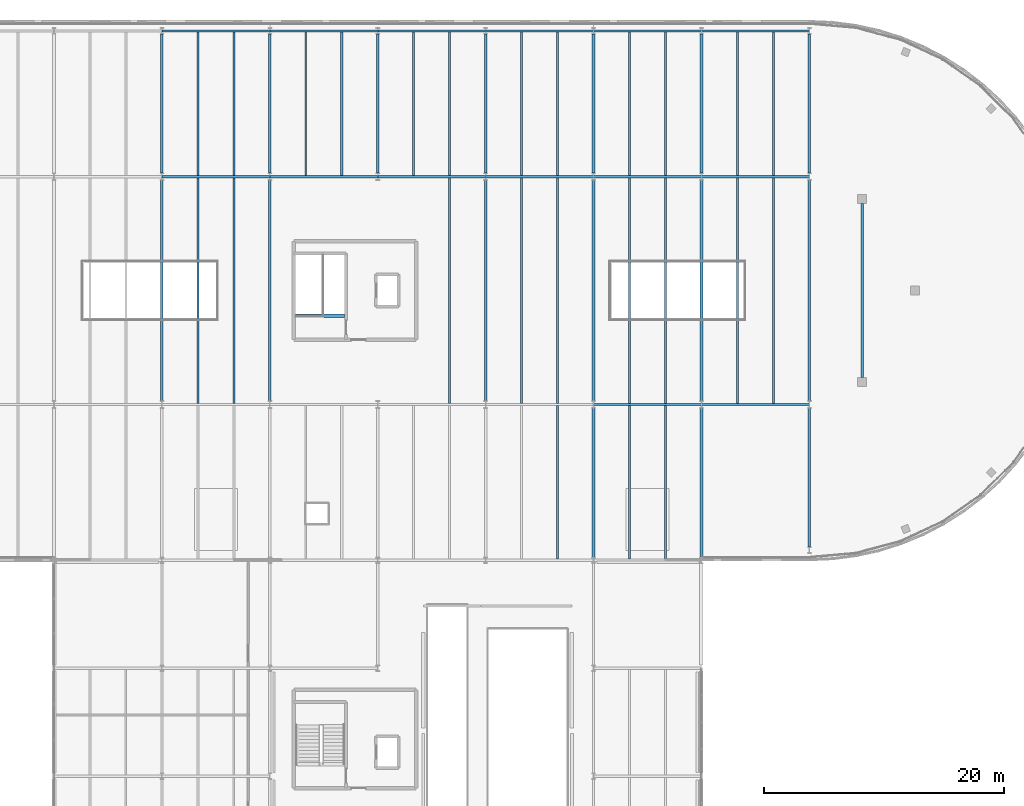
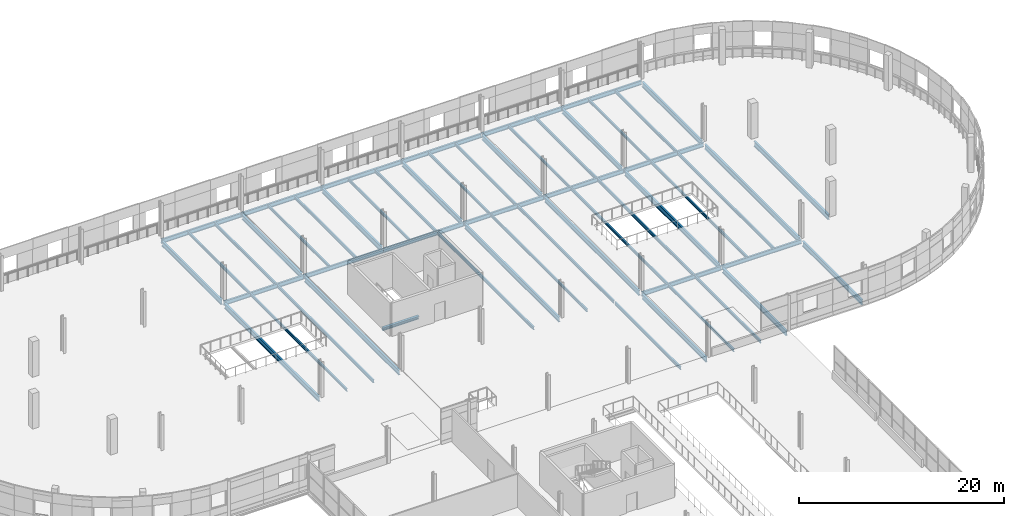
# One storey, part 34 of 88: 56 beams.
"""IFC4 building model written with IfcOpenShell, lengths in metres."""

from ifc_helpers import new_model, si_unit, direction, frame, origin, origin_2d, place, context, subcontext, project, spatial, i_section, extrude, material, material_profile, profile_set, type_object, element, save


model = new_model("IFC4")

# Units and contexts
model_context = context("Model", 3, precision=1e-05, world=origin(), true_north=direction((0.0, 1.0)))
body_context = subcontext(model_context, "Body", "Model", "MODEL_VIEW")
ifc_project = project(units=[si_unit("LENGTHUNIT", "METRE"), si_unit("AREAUNIT", "SQUARE_METRE"), si_unit("VOLUMEUNIT", "CUBIC_METRE"), si_unit("PLANEANGLEUNIT", "RADIAN"), si_unit("MASSUNIT", "GRAM", prefix="KILO")], contexts=[model_context])

# Site, building, storey
site_placement = place(None, origin())
site = spatial("IfcSite", under=ifc_project, at=site_placement, CompositionType="ELEMENT")
building_placement = place(site_placement, origin())
building = spatial("IfcBuilding", under=site, at=building_placement, Name="Deido Ridge Mobility Hub", CompositionType="ELEMENT")
storey_placement = place(building_placement, frame((0.0, 0.0, 16.800048828125)))
storey = spatial("IfcBuildingStorey", under=building, at=storey_placement, Name="L04", CompositionType="ELEMENT", Elevation=16.800048828125)

# Beams
ifc_material = material(Name="Steel S355J2 EN 10025-2", Category="steel")
ifc_material_profile_1 = material_profile(ifc_material, i_section(OverallWidth=0.300048828125, OverallDepth=0.330078125, WebThickness=0.009521484375, FlangeThickness=0.0166015625, FilletRadius=0.027099609375, at=origin_2d()), Name="HEA 340")
ifc_profile_set_1 = profile_set([ifc_material_profile_1], Name="Steel S355J2 EN 10025-2")
beam_type_1 = type_object("IfcBeamType", Name="BM-HEA340", PredefinedType="BEAM", material=ifc_profile_set_1)
beam_1_placement = place(storey_placement, frame((74.14990234375, 101.39990234375, -0.43994140625), z_axis=(1.0, 0.0, 0.0), x_axis=(0.0, 1.0, 0.0)))
element("IfcBeam", 1, at=beam_1_placement, inside=storey, type_object=beam_type_1, Name="C5 stair landing trimmer beam B6", PredefinedType="BEAM", context=body_context, shape_type="SweptSolid", body=[
    extrude(i_section(OverallWidth=0.300048828125, OverallDepth=0.330078125, WebThickness=0.009521484375, FlangeThickness=0.0166015625, FilletRadius=0.027099609375, at=origin_2d()), origin(), (0.0, 0.0, 1.0), 4.085205078125),
])
ifc_material_profile_2 = material_profile(ifc_material, i_section(OverallWidth=0.199951171875, OverallDepth=0.5, WebThickness=0.01025390625, FlangeThickness=0.01611328125, FilletRadius=0.02099609375, at=origin_2d()), Name="IPE 500")
ifc_profile_set_2 = profile_set([ifc_material_profile_2], Name="Steel S355J2 EN 10025-2")
beam_type_2 = type_object("IfcBeamType", Name="BM-IPE500", PredefinedType="BEAM", material=ifc_profile_set_2)
for number, where, z_axis, x_axis, name in (
    (2, (99.0078125, 94.0, -0.525146484375), (1.0, 0.0, 0.0), (0.0, 1.0, 0.0), "Floor beam B3"),
    (3, (108.0078125, 94.0, -0.525146484375), (1.0, 0.0, 0.0), (0.0, 1.0, 0.0), "Floor beam B3"),
    (4, (63.0078125, 113.0, -0.525146484375), (1.0, 0.0, 0.0), (0.0, 1.0, 0.0), "Floor beam B3"),
    (5, (72.0078125, 113.0, -0.525146484375), (1.0, 0.0, 0.0), (0.0, 1.0, 0.0), "Floor beam B3"),
    (6, (81.0078125, 113.0, -0.525146484375), (1.0, 0.0, 0.0), (0.0, 1.0, 0.0), "Floor beam B3"),
    (7, (90.0078125, 113.0, -0.525146484375), (1.0, 0.0, 0.0), (0.0, 1.0, 0.0), "Floor beam B3"),
    (8, (99.0078125, 113.0, -0.525146484375), (1.0, 0.0, 0.0), (0.0, 1.0, 0.0), "Floor beam B3"),
    (9, (108.0078125, 113.0, -0.525146484375), (1.0, 0.0, 0.0), (0.0, 1.0, 0.0), "Floor beam B3"),
):
    element("IfcBeam", number, at=place(storey_placement, frame(where, z_axis=z_axis, x_axis=x_axis)), inside=storey, type_object=beam_type_2, Name=name, PredefinedType="BEAM", context=body_context, shape_type="SweptSolid", body=[
        extrude(i_section(OverallWidth=0.199951171875, OverallDepth=0.5, WebThickness=0.01025390625, FlangeThickness=0.01611328125, FilletRadius=0.02099609375, at=origin_2d()), origin(), (0.0, 0.0, 1.0), 8.984375),
    ])
for number, where, z_axis, x_axis, name in (
    (10, (63.007080078125, 125.14990234375, -0.525146484375), (1.0, 0.0, 0.0), (0.0, 1.0, 0.0), "Floor beam B3"),
    (11, (72.007080078125, 125.14990234375, -0.525146484375), (1.0, 0.0, 0.0), (0.0, 1.0, 0.0), "Floor beam B3"),
    (12, (81.007080078125, 125.14990234375, -0.525146484375), (1.0, 0.0, 0.0), (0.0, 1.0, 0.0), "Floor beam B3"),
    (13, (90.007080078125, 125.14990234375, -0.525146484375), (1.0, 0.0, 0.0), (0.0, 1.0, 0.0), "Floor beam B3"),
    (14, (99.007080078125, 125.14990234375, -0.525146484375), (1.0, 0.0, 0.0), (0.0, 1.0, 0.0), "Floor beam B3"),
    (15, (108.007080078125, 125.14990234375, -0.525146484375), (1.0, 0.0, 0.0), (0.0, 1.0, 0.0), "Floor beam B3"),
):
    element("IfcBeam", number, at=place(storey_placement, frame(where, z_axis=z_axis, x_axis=x_axis)), inside=storey, type_object=beam_type_2, Name=name, PredefinedType="BEAM", context=body_context, shape_type="SweptSolid", body=[
        extrude(i_section(OverallWidth=0.199951171875, OverallDepth=0.5, WebThickness=0.01025390625, FlangeThickness=0.01611328125, FilletRadius=0.02099609375, at=origin_2d()), origin(), (0.0, 0.0, 1.0), 8.98583984375),
    ])
ifc_material_profile_3 = material_profile(ifc_material, i_section(OverallWidth=0.219970703125, OverallDepth=0.60009765625, WebThickness=0.011962890625, FlangeThickness=0.01904296875, FilletRadius=0.02392578125, at=origin_2d()), Name="IPE 600")
ifc_profile_set_3 = profile_set([ifc_material_profile_3], Name="Steel S355J2 EN 10025-2")
beam_type_3 = type_object("IfcBeamType", Name="BM-IPE600", PredefinedType="BEAM", material=ifc_profile_set_3)
beam_2_placement = place(storey_placement, frame((63.0, 94.300048828125, -0.574951171875), z_axis=(0.0, 1.0, 0.0), x_axis=(-1.0, 0.0, 0.0)))
element("IfcBeam", 16, at=beam_2_placement, inside=storey, type_object=beam_type_3, Name="Floor beam B1", PredefinedType="BEAM", context=body_context, shape_type="SweptSolid", body=[
    extrude(i_section(OverallWidth=0.219970703125, OverallDepth=0.60009765625, WebThickness=0.011962890625, FlangeThickness=0.01904296875, FilletRadius=0.02392578125, at=origin_2d()), origin(), (0.0, 0.0, 1.0), 18.39990234375),
])
beam_3_placement = place(storey_placement, frame((63.0, 113.300048828125, -0.574951171875), z_axis=(0.0, 1.0, 0.0), x_axis=(-1.0, 0.0, 0.0)))
element("IfcBeam", 17, at=beam_3_placement, inside=storey, type_object=beam_type_3, Name="Floor beam B1", PredefinedType="BEAM", context=body_context, shape_type="SweptSolid", body=[
    extrude(i_section(OverallWidth=0.219970703125, OverallDepth=0.60009765625, WebThickness=0.011962890625, FlangeThickness=0.01904296875, FilletRadius=0.02392578125, at=origin_2d()), origin(), (0.0, 0.0, 1.0), 11.599853515625),
])
beam_4_placement = place(storey_placement, frame((72.0, 94.300048828125, -0.574951171875), z_axis=(0.0, 1.0, 0.0), x_axis=(-1.0, 0.0, 0.0)))
element("IfcBeam", 18, at=beam_4_placement, inside=storey, type_object=beam_type_3, Name="Floor beam B1", PredefinedType="BEAM", context=body_context, shape_type="SweptSolid", body=[
    extrude(i_section(OverallWidth=0.219970703125, OverallDepth=0.60009765625, WebThickness=0.011962890625, FlangeThickness=0.01904296875, FilletRadius=0.02392578125, at=origin_2d()), origin(), (0.0, 0.0, 1.0), 18.39990234375),
])
for number, where, z_axis, x_axis, name in (
    (19, (72.0, 113.300048828125, -0.574951171875), (0.0, 1.0, 0.0), (-1.0, 0.0, 0.0), "Floor beam B1"),
    (20, (81.0, 113.300048828125, -0.574951171875), (0.0, 1.0, 0.0), (-1.0, 0.0, 0.0), "Floor beam B1"),
):
    element("IfcBeam", number, at=place(storey_placement, frame(where, z_axis=z_axis, x_axis=x_axis)), inside=storey, type_object=beam_type_3, Name=name, PredefinedType="BEAM", context=body_context, shape_type="SweptSolid", body=[
        extrude(i_section(OverallWidth=0.219970703125, OverallDepth=0.60009765625, WebThickness=0.011962890625, FlangeThickness=0.01904296875, FilletRadius=0.02392578125, at=origin_2d()), origin(), (0.0, 0.0, 1.0), 11.599853515625),
    ])
beam_5_placement = place(storey_placement, frame((90.0, 94.300048828125, -0.574951171875), z_axis=(0.0, 1.0, 0.0), x_axis=(-1.0, 0.0, 0.0)))
element("IfcBeam", 21, at=beam_5_placement, inside=storey, type_object=beam_type_3, Name="Floor beam B1", PredefinedType="BEAM", context=body_context, shape_type="SweptSolid", body=[
    extrude(i_section(OverallWidth=0.219970703125, OverallDepth=0.60009765625, WebThickness=0.011962890625, FlangeThickness=0.01904296875, FilletRadius=0.02392578125, at=origin_2d()), origin(), (0.0, 0.0, 1.0), 18.39990234375),
])
beam_6_placement = place(storey_placement, frame((90.0, 113.300048828125, -0.574951171875), z_axis=(0.0, 1.0, 0.0), x_axis=(-1.0, 0.0, 0.0)))
element("IfcBeam", 22, at=beam_6_placement, inside=storey, type_object=beam_type_3, Name="Floor beam B1", PredefinedType="BEAM", context=body_context, shape_type="SweptSolid", body=[
    extrude(i_section(OverallWidth=0.219970703125, OverallDepth=0.60009765625, WebThickness=0.011962890625, FlangeThickness=0.01904296875, FilletRadius=0.02392578125, at=origin_2d()), origin(), (0.0, 0.0, 1.0), 11.599853515625),
])
beam_7_placement = place(storey_placement, frame((99.0, 81.25, -0.574951171875), z_axis=(0.0, 1.0, 0.0), x_axis=(-1.0, 0.0, 0.0)))
element("IfcBeam", 23, at=beam_7_placement, inside=storey, type_object=beam_type_3, Name="Floor beam B1", PredefinedType="BEAM", context=body_context, shape_type="SweptSolid", body=[
    extrude(i_section(OverallWidth=0.219970703125, OverallDepth=0.60009765625, WebThickness=0.011962890625, FlangeThickness=0.01904296875, FilletRadius=0.02392578125, at=origin_2d()), origin(), (0.0, 0.0, 1.0), 12.449951171875),
])
beam_8_placement = place(storey_placement, frame((99.0, 94.300048828125, -0.574951171875), z_axis=(0.0, 1.0, 0.0), x_axis=(-1.0, 0.0, 0.0)))
element("IfcBeam", 24, at=beam_8_placement, inside=storey, type_object=beam_type_3, Name="Floor beam B1", PredefinedType="BEAM", context=body_context, shape_type="SweptSolid", body=[
    extrude(i_section(OverallWidth=0.219970703125, OverallDepth=0.60009765625, WebThickness=0.011962890625, FlangeThickness=0.01904296875, FilletRadius=0.02392578125, at=origin_2d()), origin(), (0.0, 0.0, 1.0), 18.39990234375),
])
beam_9_placement = place(storey_placement, frame((99.0, 113.300048828125, -0.574951171875), z_axis=(0.0, 1.0, 0.0), x_axis=(-1.0, 0.0, 0.0)))
element("IfcBeam", 25, at=beam_9_placement, inside=storey, type_object=beam_type_3, Name="Floor beam B1", PredefinedType="BEAM", context=body_context, shape_type="SweptSolid", body=[
    extrude(i_section(OverallWidth=0.219970703125, OverallDepth=0.60009765625, WebThickness=0.011962890625, FlangeThickness=0.01904296875, FilletRadius=0.02392578125, at=origin_2d()), origin(), (0.0, 0.0, 1.0), 11.599853515625),
])
beam_10_placement = place(storey_placement, frame((108.0, 81.25, -0.574951171875), z_axis=(0.0, 1.0, 0.0), x_axis=(-1.0, 0.0, 0.0)))
element("IfcBeam", 26, at=beam_10_placement, inside=storey, type_object=beam_type_3, Name="Floor beam B1", PredefinedType="BEAM", context=body_context, shape_type="SweptSolid", body=[
    extrude(i_section(OverallWidth=0.219970703125, OverallDepth=0.60009765625, WebThickness=0.011962890625, FlangeThickness=0.01904296875, FilletRadius=0.02392578125, at=origin_2d()), origin(), (0.0, 0.0, 1.0), 12.449951171875),
])
beam_11_placement = place(storey_placement, frame((108.0, 94.300048828125, -0.574951171875), z_axis=(0.0, 1.0, 0.0), x_axis=(-1.0, 0.0, 0.0)))
element("IfcBeam", 27, at=beam_11_placement, inside=storey, type_object=beam_type_3, Name="Floor beam B1", PredefinedType="BEAM", context=body_context, shape_type="SweptSolid", body=[
    extrude(i_section(OverallWidth=0.219970703125, OverallDepth=0.60009765625, WebThickness=0.011962890625, FlangeThickness=0.01904296875, FilletRadius=0.02392578125, at=origin_2d()), origin(), (0.0, 0.0, 1.0), 18.39990234375),
])
for number, where, z_axis, x_axis, name in (
    (28, (108.0, 113.300048828125, -0.574951171875), (0.0, 1.0, 0.0), (-1.0, 0.0, 0.0), "Floor beam B1"),
    (29, (117.0, 82.10009765625, -0.574951171875), (0.0, 1.0, 0.0), (-1.0, 0.0, 0.0), "Floor beam B1"),
):
    element("IfcBeam", number, at=place(storey_placement, frame(where, z_axis=z_axis, x_axis=x_axis)), inside=storey, type_object=beam_type_3, Name=name, PredefinedType="BEAM", context=body_context, shape_type="SweptSolid", body=[
        extrude(i_section(OverallWidth=0.219970703125, OverallDepth=0.60009765625, WebThickness=0.011962890625, FlangeThickness=0.01904296875, FilletRadius=0.02392578125, at=origin_2d()), origin(), (0.0, 0.0, 1.0), 11.599853515625),
    ])
beam_12_placement = place(storey_placement, frame((117.0, 94.300048828125, -0.574951171875), z_axis=(0.0, 1.0, 0.0), x_axis=(-1.0, 0.0, 0.0)))
element("IfcBeam", 30, at=beam_12_placement, inside=storey, type_object=beam_type_3, Name="Floor beam B1", PredefinedType="BEAM", context=body_context, shape_type="SweptSolid", body=[
    extrude(i_section(OverallWidth=0.219970703125, OverallDepth=0.60009765625, WebThickness=0.011962890625, FlangeThickness=0.01904296875, FilletRadius=0.02392578125, at=origin_2d()), origin(), (0.0, 0.0, 1.0), 18.39990234375),
])
beam_13_placement = place(storey_placement, frame((117.0, 113.300048828125, -0.574951171875), z_axis=(0.0, 1.0, 0.0), x_axis=(-1.0, 0.0, 0.0)))
element("IfcBeam", 31, at=beam_13_placement, inside=storey, type_object=beam_type_3, Name="Floor beam B1", PredefinedType="BEAM", context=body_context, shape_type="SweptSolid", body=[
    extrude(i_section(OverallWidth=0.219970703125, OverallDepth=0.60009765625, WebThickness=0.011962890625, FlangeThickness=0.01904296875, FilletRadius=0.02392578125, at=origin_2d()), origin(), (0.0, 0.0, 1.0), 11.599853515625),
])
beam_14_placement = place(storey_placement, frame((121.39990234375, 96.2548828125, -0.574951171875), z_axis=(0.0, 1.0, 0.0), x_axis=(-1.0, 0.0, 0.0)))
element("IfcBeam", 32, at=beam_14_placement, inside=storey, type_object=beam_type_3, Name="Floor beam B1", PredefinedType="BEAM", context=body_context, shape_type="SweptSolid", body=[
    extrude(i_section(OverallWidth=0.219970703125, OverallDepth=0.60009765625, WebThickness=0.011962890625, FlangeThickness=0.01904296875, FilletRadius=0.02392578125, at=origin_2d()), origin(), (0.0, 0.0, 1.0), 14.490234375),
])
ifc_material_profile_4 = material_profile(ifc_material, i_section(OverallWidth=0.159912109375, OverallDepth=0.330078125, WebThickness=0.007568359375, FlangeThickness=0.011474609375, FilletRadius=0.01806640625, at=origin_2d()), Name="IPE 330")
ifc_profile_set_4 = profile_set([ifc_material_profile_4], Name="Steel S355J2 EN 10025-2")
beam_type_4 = type_object("IfcBeamType", Name="JST-IPE330", PredefinedType="JOIST", material=ifc_profile_set_4)
beam_15_placement = place(storey_placement, frame((102.0, 81.10009765625, -0.43994140625), z_axis=(0.0, 1.0, 0.0), x_axis=(-1.0, 0.0, 0.0)))
element("IfcBeam", 33, at=beam_15_placement, inside=storey, type_object=beam_type_4, Name="Composite joist J2", PredefinedType="JOIST", context=body_context, shape_type="SweptSolid", body=[
    extrude(i_section(OverallWidth=0.159912109375, OverallDepth=0.330078125, WebThickness=0.007568359375, FlangeThickness=0.011474609375, FilletRadius=0.01806640625, at=origin_2d()), origin(), (0.0, 0.0, 1.0), 12.7998046875),
])
for number, where, z_axis, x_axis, name in (
    (34, (66.0, 94.10009765625, -0.43994140625), (0.0, 1.0, 0.0), (-1.0, 0.0, 0.0), "Composite joist J2"),
    (35, (93.0, 94.10009765625, -0.43994140625), (0.0, 1.0, 0.0), (-1.0, 0.0, 0.0), "Composite joist J2"),
    (36, (102.0, 94.10009765625, -0.43994140625), (0.0, 1.0, 0.0), (-1.0, 0.0, 0.0), "Composite joist J2"),
    (37, (111.0, 94.10009765625, -0.43994140625), (0.0, 1.0, 0.0), (-1.0, 0.0, 0.0), "Composite joist J2"),
):
    element("IfcBeam", number, at=place(storey_placement, frame(where, z_axis=z_axis, x_axis=x_axis)), inside=storey, type_object=beam_type_4, Name=name, PredefinedType="JOIST", context=body_context, shape_type="SweptSolid", body=[
        extrude(i_section(OverallWidth=0.159912109375, OverallDepth=0.330078125, WebThickness=0.007568359375, FlangeThickness=0.011474609375, FilletRadius=0.01806640625, at=origin_2d()), origin(), (0.0, 0.0, 1.0), 18.7998046875),
    ])
for number, where, z_axis, x_axis, name in (
    (38, (66.0, 113.10009765625, -0.43994140625), (0.0, 1.0, 0.0), (-1.0, 0.0, 0.0), "Composite joist J2"),
    (39, (75.0, 113.10009765625, -0.43994140625), (0.0, 1.0, 0.0), (-1.0, 0.0, 0.0), "Composite joist J2"),
    (40, (84.0, 113.10009765625, -0.43994140625), (0.0, 1.0, 0.0), (-1.0, 0.0, 0.0), "Composite joist J2"),
    (41, (93.0, 113.10009765625, -0.43994140625), (0.0, 1.0, 0.0), (-1.0, 0.0, 0.0), "Composite joist J2"),
    (42, (102.0, 113.10009765625, -0.43994140625), (0.0, 1.0, 0.0), (-1.0, 0.0, 0.0), "Composite joist J2"),
    (43, (111.0, 113.10009765625, -0.43994140625), (0.0, 1.0, 0.0), (-1.0, 0.0, 0.0), "Composite joist J2"),
):
    element("IfcBeam", number, at=place(storey_placement, frame(where, z_axis=z_axis, x_axis=x_axis)), inside=storey, type_object=beam_type_4, Name=name, PredefinedType="JOIST", context=body_context, shape_type="SweptSolid", body=[
        extrude(i_section(OverallWidth=0.159912109375, OverallDepth=0.330078125, WebThickness=0.007568359375, FlangeThickness=0.011474609375, FilletRadius=0.01806640625, at=origin_2d()), origin(), (0.0, 0.0, 1.0), 11.949951171875),
    ])
ifc_material_profile_5 = material_profile(ifc_material, i_section(OverallWidth=0.169921875, OverallDepth=0.360107421875, WebThickness=0.008056640625, FlangeThickness=0.0126953125, FilletRadius=0.01806640625, at=origin_2d()), Name="IPE 360")
ifc_profile_set_5 = profile_set([ifc_material_profile_5], Name="Steel S355J2 EN 10025-2")
beam_type_5 = type_object("IfcBeamType", Name="JST-IPE360", PredefinedType="JOIST", material=ifc_profile_set_5)
for number, where, z_axis, x_axis, name in (
    (44, (96.0, 81.10009765625, -0.455078125), (0.0, 1.0, 0.0), (-1.0, 0.0, 0.0), "Composite joist J1"),
    (45, (105.0, 81.10009765625, -0.455078125), (0.0, 1.0, 0.0), (-1.0, 0.0, 0.0), "Composite joist J1"),
):
    element("IfcBeam", number, at=place(storey_placement, frame(where, z_axis=z_axis, x_axis=x_axis)), inside=storey, type_object=beam_type_5, Name=name, PredefinedType="JOIST", context=body_context, shape_type="SweptSolid", body=[
        extrude(i_section(OverallWidth=0.169921875, OverallDepth=0.360107421875, WebThickness=0.008056640625, FlangeThickness=0.0126953125, FilletRadius=0.01806640625, at=origin_2d()), origin(), (0.0, 0.0, 1.0), 12.7998046875),
    ])
for number, where, z_axis, x_axis, name in (
    (46, (69.0, 94.10009765625, -0.455078125), (0.0, 1.0, 0.0), (-1.0, 0.0, 0.0), "Composite joist J1"),
    (47, (87.0, 94.10009765625, -0.455078125), (0.0, 1.0, 0.0), (-1.0, 0.0, 0.0), "Composite joist J1"),
    (48, (96.0, 94.10009765625, -0.455078125), (0.0, 1.0, 0.0), (-1.0, 0.0, 0.0), "Composite joist J1"),
    (49, (105.0, 94.10009765625, -0.455078125), (0.0, 1.0, 0.0), (-1.0, 0.0, 0.0), "Composite joist J1"),
    (50, (114.0, 94.10009765625, -0.455078125), (0.0, 1.0, 0.0), (-1.0, 0.0, 0.0), "Composite joist J1"),
):
    element("IfcBeam", number, at=place(storey_placement, frame(where, z_axis=z_axis, x_axis=x_axis)), inside=storey, type_object=beam_type_5, Name=name, PredefinedType="JOIST", context=body_context, shape_type="SweptSolid", body=[
        extrude(i_section(OverallWidth=0.169921875, OverallDepth=0.360107421875, WebThickness=0.008056640625, FlangeThickness=0.0126953125, FilletRadius=0.01806640625, at=origin_2d()), origin(), (0.0, 0.0, 1.0), 18.7998046875),
    ])
for number, where, z_axis, x_axis, name in (
    (51, (69.0, 113.10009765625, -0.455078125), (0.0, 1.0, 0.0), (-1.0, 0.0, 0.0), "Composite joist J1"),
    (52, (78.0, 113.10009765625, -0.455078125), (0.0, 1.0, 0.0), (-1.0, 0.0, 0.0), "Composite joist J1"),
    (53, (87.0, 113.10009765625, -0.455078125), (0.0, 1.0, 0.0), (-1.0, 0.0, 0.0), "Composite joist J1"),
    (54, (96.0, 113.10009765625, -0.455078125), (0.0, 1.0, 0.0), (-1.0, 0.0, 0.0), "Composite joist J1"),
    (55, (105.0, 113.10009765625, -0.455078125), (0.0, 1.0, 0.0), (-1.0, 0.0, 0.0), "Composite joist J1"),
    (56, (114.0, 113.10009765625, -0.455078125), (0.0, 1.0, 0.0), (-1.0, 0.0, 0.0), "Composite joist J1"),
):
    element("IfcBeam", number, at=place(storey_placement, frame(where, z_axis=z_axis, x_axis=x_axis)), inside=storey, type_object=beam_type_5, Name=name, PredefinedType="JOIST", context=body_context, shape_type="SweptSolid", body=[
        extrude(i_section(OverallWidth=0.169921875, OverallDepth=0.360107421875, WebThickness=0.008056640625, FlangeThickness=0.0126953125, FilletRadius=0.01806640625, at=origin_2d()), origin(), (0.0, 0.0, 1.0), 11.949951171875),
    ])

save(model, "model.ifc")
